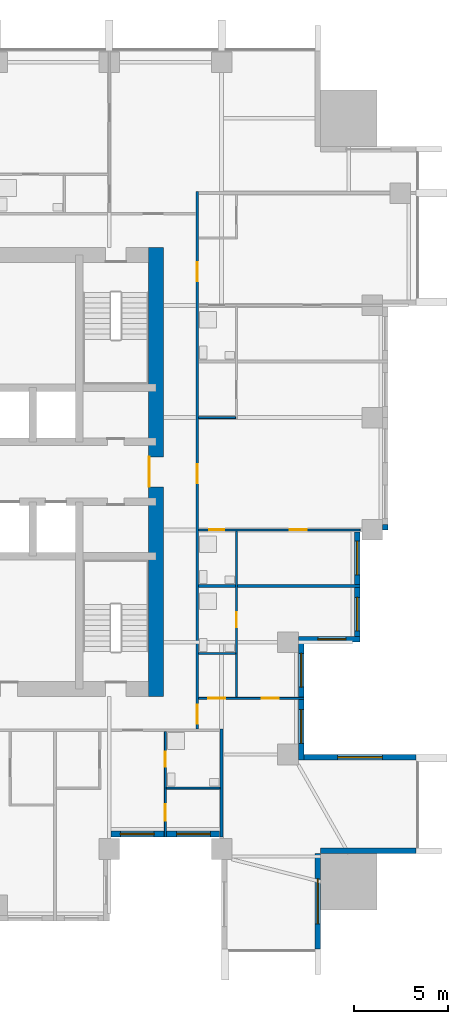
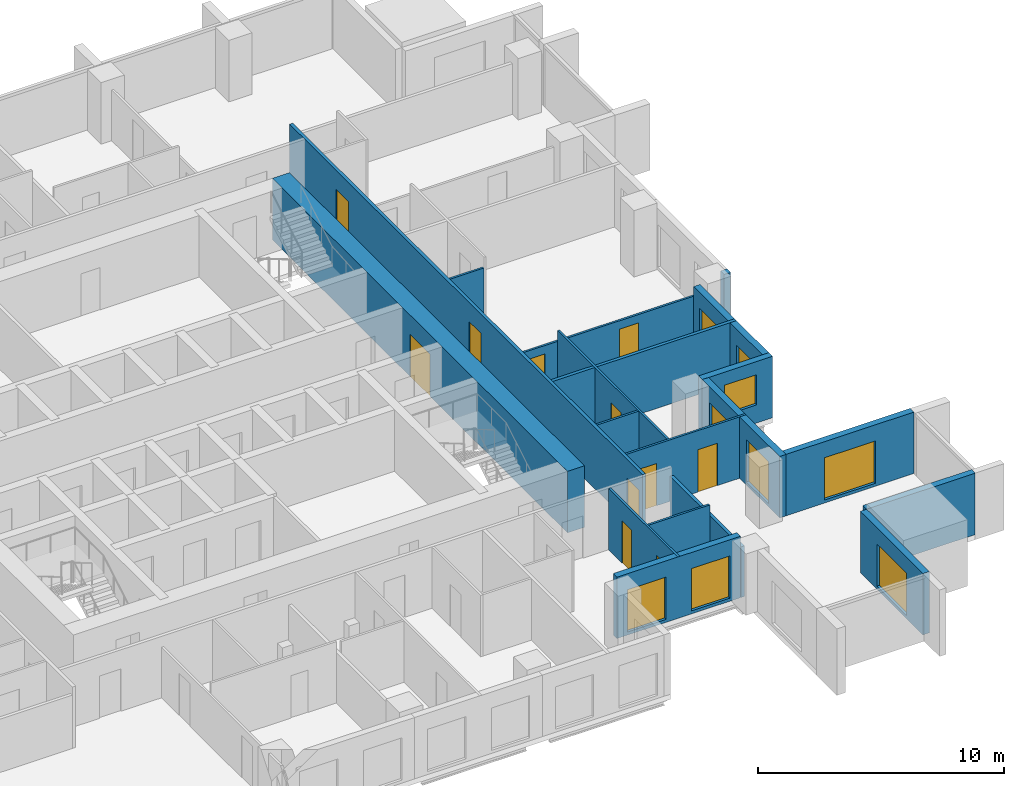
# One storey, part 6 of 10: 19 walls, 11 doors, 9 windows, 20 openings.
"""IFC4 building model written with IfcOpenShell, lengths in metres."""

from ifc_helpers import new_model, si_unit, direction, frame, frame_2d, origin, place, context, subcontext, project, spatial, rectangle, extrude, material, layer, layer_set, type_object, element, fill, save


model = new_model("IFC4")

# Units and contexts
model_context = context("Model", 3, precision=1e-05, world=origin(), true_north=direction((0.0, 1.0)))
body_context = subcontext(model_context, "Body", "Model", "MODEL_VIEW")
ifc_project = project(units=[si_unit("LENGTHUNIT", "METRE"), si_unit("AREAUNIT", "SQUARE_METRE"), si_unit("VOLUMEUNIT", "CUBIC_METRE"), si_unit("PLANEANGLEUNIT", "RADIAN"), si_unit("MASSUNIT", "GRAM", prefix="KILO")], contexts=[model_context])

# Site, building, storey
site_placement = place(None, origin())
site = spatial("IfcSite", under=ifc_project, at=site_placement, CompositionType="ELEMENT")
building_placement = place(site_placement, origin())
building = spatial("IfcBuilding", under=site, at=building_placement, Name="Amberfall Residences", CompositionType="ELEMENT")
storey_placement = place(building_placement, frame((0.0, 0.0, 105.10009765625)))
storey = spatial("IfcBuildingStorey", under=building, at=storey_placement, Name="L28", CompositionType="ELEMENT", Elevation=105.10009765625)

# Wall, opening, window
ifc_material_1 = material(Name="Pale stone cladding on insulated backing", Category="masonry")
ifc_layer_1 = layer(ifc_material_1, 0.300048828125)
ifc_layer_set_1 = layer_set([ifc_layer_1], Name="Bronze clad wall 300")
wall_type_1 = type_object("IfcWallType", Name="Bronze clad wall 300", PredefinedType="SOLIDWALL", material=ifc_layer_set_1)
wall_1_placement = place(storey_placement, frame((94.75, 20.0, 0.0), z_axis=(0.0, 0.0, 1.0), x_axis=(0.0, 1.0, 0.0)))
wall_1 = element("IfcWall", 1, at=wall_1_placement, inside=storey, type_object=wall_type_1, Name="External wall L28 SE", PredefinedType="SOLIDWALL", context=body_context, shape_type="SweptSolid", body=[
    extrude(rectangle(XDim=5.10009765625, YDim=0.300048828125, at=frame_2d((2.550048828125, 0.0))), origin(), (0.0, 0.0, 1.0), 3.0498046875),
])
opening_1_placement = place(wall_1_placement, frame((1.35009765625, 0.0, 0.14990234375)))
opening_1 = element("IfcOpeningElement", 2, at=opening_1_placement, cuts=wall_1, Name="Opening WN5", PredefinedType="OPENING", context=body_context, shape_type="SweptSolid", body=[
    extrude(rectangle(XDim=2.39990234375, YDim=2.10009765625, at=frame_2d((1.199951171875, 1.050048828125))), frame((0.0, 0.159912109375, 0.0), z_axis=(0.0, -1.0, 0.0), x_axis=(1.0, 0.0, 0.0)), (0.0, 0.0, 1.0), 0.320068359375),
])
ifc_material_2 = material(Name="Bronze aluminium framed glazing", Category="aluminium")
window_type_1 = type_object("IfcWindowType", Name="Glazed opening 2400 x 2100 bronze", PartitioningType="DOUBLE_PANEL_VERTICAL", PredefinedType="WINDOW", material=ifc_material_2)
window_1_placement = place(opening_1_placement, origin())
window_1 = element("IfcWindow", 3, at=window_1_placement, inside=storey, type_object=window_type_1, Name="Window L28 SE", OverallHeight=2.10009765625, OverallWidth=2.39990234375, PartitioningType="DOUBLE_PANEL_VERTICAL", PredefinedType="WINDOW", context=body_context, shape_type="SweptSolid", body=[
    extrude(rectangle(XDim=2.39990234375, YDim=2.10009765625, at=frame_2d((1.199951171875, 1.050048828125))), frame((0.0, 0.030029296875, 0.0), z_axis=(0.0, -1.0, 0.0), x_axis=(1.0, 0.0, 0.0)), (0.0, 0.0, 1.0), 0.06005859375),
])
fill(opening_1, window_1)

# Wall
wall_2_placement = place(storey_placement, frame((94.89990234375, 25.25, 0.0), z_axis=(0.0, 0.0, 1.0), x_axis=(1.0, 0.0, 0.0)))
element("IfcWall", 4, at=wall_2_placement, inside=storey, type_object=wall_type_1, Name="External wall L28 SE", PredefinedType="SOLIDWALL", context=body_context, shape_type="SweptSolid", body=[
    extrude(rectangle(XDim=5.10009765625, YDim=0.300048828125, at=frame_2d((2.550048828125, 0.0))), origin(), (0.0, 0.0, 1.0), 3.0498046875),
])

# Wall, opening, window
wall_3_placement = place(storey_placement, frame((100.0, 30.25, 0.0), z_axis=(0.0, 0.0, 1.0), x_axis=(-1.0, 0.0, 0.0)))
wall_3 = element("IfcWall", 5, at=wall_3_placement, inside=storey, type_object=wall_type_1, Name="External wall L28 E", PredefinedType="SOLIDWALL", context=body_context, shape_type="SweptSolid", body=[
    extrude(rectangle(XDim=6.0, YDim=0.300048828125, at=frame_2d((3.0, 0.0))), origin(), (0.0, 0.0, 1.0), 3.0498046875),
])
opening_2_placement = place(wall_3_placement, frame((1.800048828125, 0.0, 0.14990234375)))
opening_2 = element("IfcOpeningElement", 6, at=opening_2_placement, cuts=wall_3, Name="Opening WN5", PredefinedType="OPENING", context=body_context, shape_type="SweptSolid", body=[
    extrude(rectangle(XDim=2.39990234375, YDim=2.10009765625, at=frame_2d((1.199951171875, 1.050048828125))), frame((0.0, 0.159912109375, 0.0), z_axis=(0.0, -1.0, 0.0), x_axis=(1.0, 0.0, 0.0)), (0.0, 0.0, 1.0), 0.320068359375),
])
window_2_placement = place(opening_2_placement, origin())
window_2 = element("IfcWindow", 7, at=window_2_placement, inside=storey, type_object=window_type_1, Name="Window L28 E", OverallHeight=2.10009765625, OverallWidth=2.39990234375, PartitioningType="DOUBLE_PANEL_VERTICAL", PredefinedType="WINDOW", context=body_context, shape_type="SweptSolid", body=[
    extrude(rectangle(XDim=2.39990234375, YDim=2.10009765625, at=frame_2d((1.199951171875, 1.050048828125))), frame((0.0, 0.030029296875, 0.0), z_axis=(0.0, -1.0, 0.0), x_axis=(1.0, 0.0, 0.0)), (0.0, 0.0, 1.0), 0.06005859375),
])
fill(opening_2, window_2)

wall_4_placement = place(storey_placement, frame((93.699951171875, 36.550048828125, 0.0), z_axis=(0.0, 0.0, 1.0), x_axis=(1.0, 0.0, 0.0)))
wall_4 = element("IfcWall", 8, at=wall_4_placement, inside=storey, type_object=wall_type_1, Name="External wall L28 E", PredefinedType="SOLIDWALL", context=body_context, shape_type="SweptSolid", body=[
    extrude(rectangle(XDim=3.300048828125, YDim=0.300048828125, at=frame_2d((1.64990234375, 0.0))), origin(), (0.0, 0.0, 1.0), 3.0498046875),
])
opening_3_placement = place(wall_4_placement, frame((1.050048828125, 0.0, 0.89990234375)))
opening_3 = element("IfcOpeningElement", 9, at=opening_3_placement, cuts=wall_4, Name="Opening WN1", PredefinedType="OPENING", context=body_context, shape_type="SweptSolid", body=[
    extrude(rectangle(XDim=1.5, YDim=1.5, at=frame_2d((0.75, 0.75))), frame((0.0, 0.159912109375, 0.0), z_axis=(0.0, -1.0, 0.0), x_axis=(1.0, 0.0, 0.0)), (0.0, 0.0, 1.0), 0.320068359375),
])
window_type_2 = type_object("IfcWindowType", Name="Window 1500 x 1500 bronze", PartitioningType="DOUBLE_PANEL_VERTICAL", PredefinedType="WINDOW", material=ifc_material_2)
window_3_placement = place(opening_3_placement, origin())
window_3 = element("IfcWindow", 10, at=window_3_placement, inside=storey, type_object=window_type_2, Name="Window L28 E", OverallHeight=1.5, OverallWidth=1.5, PartitioningType="DOUBLE_PANEL_VERTICAL", PredefinedType="WINDOW", context=body_context, shape_type="SweptSolid", body=[
    extrude(rectangle(XDim=1.5, YDim=1.5, at=frame_2d((0.75, 0.75))), frame((0.0, 0.030029296875, 0.0), z_axis=(0.0, -1.0, 0.0), x_axis=(1.0, 0.0, 0.0)), (0.0, 0.0, 1.0), 0.06005859375),
])
fill(opening_3, window_3)

# Wall
wall_5_placement = place(storey_placement, frame((98.199951171875, 42.550048828125, 0.0), z_axis=(0.0, 0.0, 1.0), x_axis=(1.0, 0.0, 0.0)))
element("IfcWall", 11, at=wall_5_placement, inside=storey, type_object=wall_type_1, Name="External wall L28 E", PredefinedType="SOLIDWALL", context=body_context, shape_type="SweptSolid", body=[
    extrude(rectangle(XDim=0.300048828125, YDim=0.300048828125, at=frame_2d((0.14990234375, 0.0))), origin(), (0.0, 0.0, 1.0), 3.0498046875),
])

# Wall, openings, windows
wall_6_placement = place(storey_placement, frame((83.699951171875, 26.14990234375, 0.0), z_axis=(0.0, 0.0, 1.0), x_axis=(1.0, 0.0, 0.0)))
wall_6 = element("IfcWall", 12, at=wall_6_placement, inside=storey, type_object=wall_type_1, Name="Stone wall L28 S", PredefinedType="SOLIDWALL", context=body_context, shape_type="SweptSolid", body=[
    extrude(rectangle(XDim=5.7900390625, YDim=0.300048828125, at=frame_2d((2.89501953125, 0.0))), origin(), (0.0, 0.0, 1.0), 3.0498046875),
])
opening_4_placement = place(wall_6_placement, frame((0.5, 0.0, 0.14990234375)))
opening_4 = element("IfcOpeningElement", 13, at=opening_4_placement, cuts=wall_6, Name="Opening WN6", PredefinedType="OPENING", context=body_context, shape_type="SweptSolid", body=[
    extrude(rectangle(XDim=1.800048828125, YDim=2.10009765625, at=frame_2d((0.89990234375, 1.050048828125))), frame((0.0, 0.159912109375, 0.0), z_axis=(0.0, -1.0, 0.0), x_axis=(1.0, 0.0, 0.0)), (0.0, 0.0, 1.0), 0.320068359375),
])
opening_5_placement = place(wall_6_placement, frame((3.5, 0.0, 0.14990234375)))
opening_5 = element("IfcOpeningElement", 14, at=opening_5_placement, cuts=wall_6, Name="Opening WN6", PredefinedType="OPENING", context=body_context, shape_type="SweptSolid", body=[
    extrude(rectangle(XDim=1.800048828125, YDim=2.10009765625, at=frame_2d((0.89990234375, 1.050048828125))), frame((0.0, 0.159912109375, 0.0), z_axis=(0.0, -1.0, 0.0), x_axis=(1.0, 0.0, 0.0)), (0.0, 0.0, 1.0), 0.320068359375),
])
window_type_3 = type_object("IfcWindowType", Name="Glazed opening 1800 x 2100 bronze", PartitioningType="DOUBLE_PANEL_VERTICAL", PredefinedType="WINDOW", material=ifc_material_2)
window_4_placement = place(opening_4_placement, origin())
window_4 = element("IfcWindow", 15, at=window_4_placement, inside=storey, type_object=window_type_3, Name="Window L28 S", OverallHeight=2.10009765625, OverallWidth=1.800048828125, PartitioningType="DOUBLE_PANEL_VERTICAL", PredefinedType="WINDOW", context=body_context, shape_type="SweptSolid", body=[
    extrude(rectangle(XDim=1.800048828125, YDim=2.10009765625, at=frame_2d((0.89990234375, 1.050048828125))), frame((0.0, 0.030029296875, 0.0), z_axis=(0.0, -1.0, 0.0), x_axis=(1.0, 0.0, 0.0)), (0.0, 0.0, 1.0), 0.06005859375),
])
fill(opening_4, window_4)
window_5_placement = place(opening_5_placement, origin())
window_5 = element("IfcWindow", 16, at=window_5_placement, inside=storey, type_object=window_type_3, Name="Window L28 S", OverallHeight=2.10009765625, OverallWidth=1.800048828125, PartitioningType="DOUBLE_PANEL_VERTICAL", PredefinedType="WINDOW", context=body_context, shape_type="SweptSolid", body=[
    extrude(rectangle(XDim=1.800048828125, YDim=2.10009765625, at=frame_2d((0.89990234375, 1.050048828125))), frame((0.0, 0.030029296875, 0.0), z_axis=(0.0, -1.0, 0.0), x_axis=(1.0, 0.0, 0.0)), (0.0, 0.0, 1.0), 0.06005859375),
])
fill(opening_5, window_5)

wall_7_placement = place(storey_placement, frame((93.85009765625, 30.10009765625, 0.0), z_axis=(0.0, 0.0, 1.0), x_axis=(0.0, 1.0, 0.0)))
wall_7 = element("IfcWall", 17, at=wall_7_placement, inside=storey, type_object=wall_type_1, Name="Stone wall L28 E", PredefinedType="SOLIDWALL", context=body_context, shape_type="SweptSolid", body=[
    extrude(rectangle(XDim=6.2998046875, YDim=0.300048828125, at=frame_2d((3.14990234375, 0.0))), origin(), (0.0, 0.0, 1.0), 3.0498046875),
])
opening_6_placement = place(wall_7_placement, frame((0.89990234375, 0.0, 0.14990234375)))
opening_6 = element("IfcOpeningElement", 18, at=opening_6_placement, cuts=wall_7, Name="Opening WN6", PredefinedType="OPENING", context=body_context, shape_type="SweptSolid", body=[
    extrude(rectangle(XDim=1.800048828125, YDim=2.10009765625, at=frame_2d((0.89990234375, 1.050048828125))), frame((0.0, 0.159912109375, 0.0), z_axis=(0.0, -1.0, 0.0), x_axis=(1.0, 0.0, 0.0)), (0.0, 0.0, 1.0), 0.320068359375),
])
opening_7_placement = place(wall_7_placement, frame((3.89990234375, 0.0, 0.14990234375)))
opening_7 = element("IfcOpeningElement", 19, at=opening_7_placement, cuts=wall_7, Name="Opening WN6", PredefinedType="OPENING", context=body_context, shape_type="SweptSolid", body=[
    extrude(rectangle(XDim=1.800048828125, YDim=2.10009765625, at=frame_2d((0.89990234375, 1.050048828125))), frame((0.0, 0.159912109375, 0.0), z_axis=(0.0, -1.0, 0.0), x_axis=(1.0, 0.0, 0.0)), (0.0, 0.0, 1.0), 0.320068359375),
])
window_6_placement = place(opening_6_placement, origin())
window_6 = element("IfcWindow", 20, at=window_6_placement, inside=storey, type_object=window_type_3, Name="Window L28 E", OverallHeight=2.10009765625, OverallWidth=1.800048828125, PartitioningType="DOUBLE_PANEL_VERTICAL", PredefinedType="WINDOW", context=body_context, shape_type="SweptSolid", body=[
    extrude(rectangle(XDim=1.800048828125, YDim=2.10009765625, at=frame_2d((0.89990234375, 1.050048828125))), frame((0.0, 0.030029296875, 0.0), z_axis=(0.0, -1.0, 0.0), x_axis=(1.0, 0.0, 0.0)), (0.0, 0.0, 1.0), 0.06005859375),
])
fill(opening_6, window_6)
window_7_placement = place(opening_7_placement, origin())
window_7 = element("IfcWindow", 21, at=window_7_placement, inside=storey, type_object=window_type_3, Name="Window L28 E", OverallHeight=2.10009765625, OverallWidth=1.800048828125, PartitioningType="DOUBLE_PANEL_VERTICAL", PredefinedType="WINDOW", context=body_context, shape_type="SweptSolid", body=[
    extrude(rectangle(XDim=1.800048828125, YDim=2.10009765625, at=frame_2d((0.89990234375, 1.050048828125))), frame((0.0, 0.030029296875, 0.0), z_axis=(0.0, -1.0, 0.0), x_axis=(1.0, 0.0, 0.0)), (0.0, 0.0, 1.0), 0.06005859375),
])
fill(opening_7, window_7)

wall_8_placement = place(storey_placement, frame((96.85009765625, 36.699951171875, 0.0), z_axis=(0.0, 0.0, 1.0), x_axis=(0.0, 1.0, 0.0)))
wall_8 = element("IfcWall", 22, at=wall_8_placement, inside=storey, type_object=wall_type_1, Name="Stone wall L28 E", PredefinedType="SOLIDWALL", context=body_context, shape_type="SweptSolid", body=[
    extrude(rectangle(XDim=5.590087890625, YDim=0.300048828125, at=frame_2d((2.794921875, 0.0))), origin(), (0.0, 0.0, 1.0), 3.0498046875),
])
opening_8_placement = place(wall_8_placement, frame((0.300048828125, 0.0, 0.14990234375)))
opening_8 = element("IfcOpeningElement", 23, at=opening_8_placement, cuts=wall_8, Name="Opening WN6", PredefinedType="OPENING", context=body_context, shape_type="SweptSolid", body=[
    extrude(rectangle(XDim=1.800048828125, YDim=2.10009765625, at=frame_2d((0.89990234375, 1.050048828125))), frame((0.0, 0.159912109375, 0.0), z_axis=(0.0, -1.0, 0.0), x_axis=(1.0, 0.0, 0.0)), (0.0, 0.0, 1.0), 0.320068359375),
])
opening_9_placement = place(wall_8_placement, frame((3.300048828125, 0.0, 0.14990234375)))
opening_9 = element("IfcOpeningElement", 24, at=opening_9_placement, cuts=wall_8, Name="Opening WN6", PredefinedType="OPENING", context=body_context, shape_type="SweptSolid", body=[
    extrude(rectangle(XDim=1.800048828125, YDim=2.10009765625, at=frame_2d((0.89990234375, 1.050048828125))), frame((0.0, 0.159912109375, 0.0), z_axis=(0.0, -1.0, 0.0), x_axis=(1.0, 0.0, 0.0)), (0.0, 0.0, 1.0), 0.320068359375),
])
window_8_placement = place(opening_8_placement, origin())
window_8 = element("IfcWindow", 25, at=window_8_placement, inside=storey, type_object=window_type_3, Name="Window L28 E", OverallHeight=2.10009765625, OverallWidth=1.800048828125, PartitioningType="DOUBLE_PANEL_VERTICAL", PredefinedType="WINDOW", context=body_context, shape_type="SweptSolid", body=[
    extrude(rectangle(XDim=1.800048828125, YDim=2.10009765625, at=frame_2d((0.89990234375, 1.050048828125))), frame((0.0, 0.030029296875, 0.0), z_axis=(0.0, -1.0, 0.0), x_axis=(1.0, 0.0, 0.0)), (0.0, 0.0, 1.0), 0.06005859375),
])
fill(opening_8, window_8)
window_9_placement = place(opening_9_placement, origin())
window_9 = element("IfcWindow", 26, at=window_9_placement, inside=storey, type_object=window_type_3, Name="Window L28 E", OverallHeight=2.10009765625, OverallWidth=1.800048828125, PartitioningType="DOUBLE_PANEL_VERTICAL", PredefinedType="WINDOW", context=body_context, shape_type="SweptSolid", body=[
    extrude(rectangle(XDim=1.800048828125, YDim=2.10009765625, at=frame_2d((0.89990234375, 1.050048828125))), frame((0.0, 0.030029296875, 0.0), z_axis=(0.0, -1.0, 0.0), x_axis=(1.0, 0.0, 0.0)), (0.0, 0.0, 1.0), 0.06005859375),
])
fill(opening_9, window_9)

# Wall, opening, door
ifc_material_3 = material(Name="Concrete C70", Category="concrete")
ifc_layer_2 = layer(ifc_material_3, 0.800048828125)
ifc_layer_set_2 = layer_set([ifc_layer_2], Name="Core wall 800 C70")
wall_type_2 = type_object("IfcWallType", Name="Core wall 800 C70", PredefinedType="SHEAR", material=ifc_layer_set_2)
wall_9_placement = place(storey_placement, frame((86.10009765625, 33.5, 0.0), z_axis=(0.0, 0.0, 1.0), x_axis=(0.0, 1.0, 0.0)))
wall_9 = element("IfcWall", 27, at=wall_9_placement, inside=storey, type_object=wall_type_2, Name="Core wall RW3 L28 OE", PredefinedType="SHEAR", context=body_context, shape_type="SweptSolid", body=[
    extrude(rectangle(XDim=24.0, YDim=0.800048828125, at=frame_2d((12.0, 0.0))), origin(), (0.0, 0.0, 1.0), 3.0498046875),
])
opening_10_placement = place(wall_9_placement, frame((11.199951171875, 0.0, 0.0)))
opening_10 = element("IfcOpeningElement", 28, at=opening_10_placement, cuts=wall_9, Name="Opening LB1", PredefinedType="OPENING", context=body_context, shape_type="SweptSolid", body=[
    extrude(rectangle(XDim=1.60009765625, YDim=2.10009765625, at=frame_2d((0.800048828125, 1.050048828125))), frame((0.0, 0.409912109375, 0.0), z_axis=(0.0, -1.0, 0.0), x_axis=(1.0, 0.0, 0.0)), (0.0, 0.0, 1.0), 0.820068359375),
])
ifc_material_4 = material(Name="Steel fire door set", Category="steel")
door_type_1 = type_object("IfcDoorType", Name="Lift lobby double door 1600 x 2100", OperationType="DOUBLE_DOOR_SINGLE_SWING", PredefinedType="DOOR", material=ifc_material_4)
door_1_placement = place(opening_10_placement, origin())
door_1 = element("IfcDoor", 29, at=door_1_placement, inside=storey, type_object=door_type_1, Name="LB1 L28", OperationType="DOUBLE_DOOR_SINGLE_SWING", OverallHeight=2.10009765625, OverallWidth=1.60009765625, PredefinedType="DOOR", context=body_context, shape_type="SweptSolid", body=[
    extrude(rectangle(XDim=1.60009765625, YDim=2.10009765625, at=frame_2d((0.800048828125, 1.050048828125))), frame((0.0, 0.3876953125, 0.0), z_axis=(0.0, -1.0, 0.0), x_axis=(1.0, 0.0, 0.0)), (0.0, 0.0, 1.0), 0.050048828125),
])
fill(opening_10, door_1)

# Wall, openings, doors
ifc_material_5 = material(Name="Gypsum board on metal stud")
ifc_layer_3 = layer(ifc_material_5, 0.10009765625)
ifc_layer_set_3 = layer_set([ifc_layer_3], Name="Flat partition 100")
wall_type_3 = type_object("IfcWallType", Name="Flat partition 100", PredefinedType="PARTITIONING", material=ifc_layer_set_3)
wall_10_placement = place(storey_placement, frame((86.60009765625, 31.625, 0.0), z_axis=(0.0, 0.0, 1.0), x_axis=(0.0, -1.0, 0.0)))
wall_10 = element("IfcWall", 30, at=wall_10_placement, inside=storey, type_object=wall_type_3, Name="Partition 018", PredefinedType="PARTITIONING", context=body_context, shape_type="SweptSolid", body=[
    extrude(rectangle(XDim=5.625, YDim=0.10009765625, at=frame_2d((2.8125, 0.0))), origin(), (0.0, 0.0, 1.0), 3.0498046875),
])
opening_11_placement = place(wall_10_placement, frame((3.875, 0.0, 0.0)))
opening_11 = element("IfcOpeningElement", 31, at=opening_11_placement, cuts=wall_10, Name="Opening D41", PredefinedType="OPENING", context=body_context, shape_type="SweptSolid", body=[
    extrude(rectangle(XDim=0.89990234375, YDim=2.10009765625, at=frame_2d((0.449951171875, 1.050048828125))), frame((0.0, 0.06005859375, 0.0), z_axis=(0.0, -1.0, 0.0), x_axis=(1.0, 0.0, 0.0)), (0.0, 0.0, 1.0), 0.1201171875),
])
opening_12_placement = place(wall_10_placement, frame((1.074951171875, 0.0, 0.0)))
opening_12 = element("IfcOpeningElement", 32, at=opening_12_placement, cuts=wall_10, Name="Opening D42", PredefinedType="OPENING", context=body_context, shape_type="SweptSolid", body=[
    extrude(rectangle(XDim=0.800048828125, YDim=2.10009765625, at=frame_2d((0.39990234375, 1.050048828125))), frame((0.0, 0.06005859375, 0.0), z_axis=(0.0, -1.0, 0.0), x_axis=(1.0, 0.0, 0.0)), (0.0, 0.0, 1.0), 0.1201171875),
])
ifc_material_6 = material(Name="Timber", Category="wood")
door_type_2 = type_object("IfcDoorType", Name="Bathroom door 800 x 2100", OperationType="SINGLE_SWING_LEFT", PredefinedType="DOOR", material=ifc_material_6)
door_2_placement = place(opening_12_placement, origin())
door_2 = element("IfcDoor", 33, at=door_2_placement, inside=storey, type_object=door_type_2, Name="Door 2803 bath1", OperationType="SINGLE_SWING_LEFT", OverallHeight=2.10009765625, OverallWidth=0.800048828125, PredefinedType="DOOR", context=body_context, shape_type="SweptSolid", body=[
    extrude(rectangle(XDim=0.800048828125, YDim=2.10009765625, at=frame_2d((0.39990234375, 1.050048828125))), frame((0.0, 0.02490234375, 0.0), z_axis=(0.0, -1.0, 0.0), x_axis=(1.0, 0.0, 0.0)), (0.0, 0.0, 1.0), 0.050048828125),
])
fill(opening_12, door_2)
door_type_3 = type_object("IfcDoorType", Name="Internal door 900 x 2100", OperationType="SINGLE_SWING_LEFT", PredefinedType="DOOR", material=ifc_material_6)
door_3_placement = place(opening_11_placement, origin())
door_3 = element("IfcDoor", 34, at=door_3_placement, inside=storey, type_object=door_type_3, Name="Door 2803 bedroom1", OperationType="SINGLE_SWING_LEFT", OverallHeight=2.10009765625, OverallWidth=0.89990234375, PredefinedType="DOOR", context=body_context, shape_type="SweptSolid", body=[
    extrude(rectangle(XDim=0.89990234375, YDim=2.10009765625, at=frame_2d((0.449951171875, 1.050048828125))), frame((0.0, 0.02490234375, 0.0), z_axis=(0.0, -1.0, 0.0), x_axis=(1.0, 0.0, 0.0)), (0.0, 0.0, 1.0), 0.050048828125),
])
fill(opening_11, door_3)

# Wall, opening, door
wall_11_placement = place(storey_placement, frame((90.39990234375, 33.449951171875, 0.0), z_axis=(0.0, 0.0, 1.0), x_axis=(0.0, 1.0, 0.0)))
wall_11 = element("IfcWall", 35, at=wall_11_placement, inside=storey, type_object=wall_type_3, Name="Partition 019", PredefinedType="PARTITIONING", context=body_context, shape_type="SweptSolid", body=[
    extrude(rectangle(XDim=8.900146484375, YDim=0.10009765625, at=frame_2d((4.4501953125, 0.0))), origin(), (0.0, 0.0, 1.0), 3.0498046875),
])
opening_13_placement = place(wall_11_placement, frame((3.75, 0.0, 0.0)))
opening_13 = element("IfcOpeningElement", 36, at=opening_13_placement, cuts=wall_11, Name="Opening D42", PredefinedType="OPENING", context=body_context, shape_type="SweptSolid", body=[
    extrude(rectangle(XDim=0.800048828125, YDim=2.10009765625, at=frame_2d((0.39990234375, 1.050048828125))), frame((0.0, 0.06005859375, 0.0), z_axis=(0.0, -1.0, 0.0), x_axis=(1.0, 0.0, 0.0)), (0.0, 0.0, 1.0), 0.1201171875),
])
door_4_placement = place(opening_13_placement, origin())
door_4 = element("IfcDoor", 37, at=door_4_placement, inside=storey, type_object=door_type_2, Name="Door 2804 bath1", OperationType="SINGLE_SWING_LEFT", OverallHeight=2.10009765625, OverallWidth=0.800048828125, PredefinedType="DOOR", context=body_context, shape_type="SweptSolid", body=[
    extrude(rectangle(XDim=0.800048828125, YDim=2.10009765625, at=frame_2d((0.39990234375, 1.050048828125))), frame((0.0, 0.02490234375, 0.0), z_axis=(0.0, -1.0, 0.0), x_axis=(1.0, 0.0, 0.0)), (0.0, 0.0, 1.0), 0.050048828125),
])
fill(opening_13, door_4)

# Wall
wall_12_placement = place(storey_placement, frame((88.375, 48.39990234375, 0.0), z_axis=(0.0, 0.0, 1.0), x_axis=(1.0, 0.0, 0.0)))
element("IfcWall", 38, at=wall_12_placement, inside=storey, type_object=wall_type_3, Name="Partition 031", PredefinedType="PARTITIONING", context=body_context, shape_type="SweptSolid", body=[
    extrude(rectangle(XDim=1.97509765625, YDim=0.10009765625, at=frame_2d((0.987548828125, 0.0))), origin(), (0.0, 0.0, 1.0), 2.515869140625),
])

# Wall, openings, doors
wall_13_placement = place(storey_placement, frame((97.0, 42.39990234375, 0.0), z_axis=(0.0, 0.0, 1.0), x_axis=(-1.0, 0.0, 0.0)))
wall_13 = element("IfcWall", 39, at=wall_13_placement, inside=storey, type_object=wall_type_3, Name="Partition 034", PredefinedType="PARTITIONING", context=body_context, shape_type="SweptSolid", body=[
    extrude(rectangle(XDim=8.625, YDim=0.10009765625, at=frame_2d((4.3125, 0.0))), origin(), (0.0, 0.0, 1.0), 2.515869140625),
])
opening_14_placement = place(wall_13_placement, frame((2.85009765625, 0.0, 0.0)))
opening_14 = element("IfcOpeningElement", 40, at=opening_14_placement, cuts=wall_13, Name="Opening D41", PredefinedType="OPENING", context=body_context, shape_type="SweptSolid", body=[
    extrude(rectangle(XDim=0.89990234375, YDim=2.10009765625, at=frame_2d((0.449951171875, 1.050048828125))), frame((0.0, 0.06005859375, 0.0), z_axis=(0.0, -1.0, 0.0), x_axis=(1.0, 0.0, 0.0)), (0.0, 0.0, 1.0), 0.1201171875),
])
opening_15_placement = place(wall_13_placement, frame((7.25, 0.0, 0.0)))
opening_15 = element("IfcOpeningElement", 41, at=opening_15_placement, cuts=wall_13, Name="Opening D42", PredefinedType="OPENING", context=body_context, shape_type="SweptSolid", body=[
    extrude(rectangle(XDim=0.800048828125, YDim=2.10009765625, at=frame_2d((0.39990234375, 1.050048828125))), frame((0.0, 0.06005859375, 0.0), z_axis=(0.0, -1.0, 0.0), x_axis=(1.0, 0.0, 0.0)), (0.0, 0.0, 1.0), 0.1201171875),
])
door_5_placement = place(opening_15_placement, origin())
door_5 = element("IfcDoor", 42, at=door_5_placement, inside=storey, type_object=door_type_2, Name="Door 2805 bath1", OperationType="SINGLE_SWING_LEFT", OverallHeight=2.10009765625, OverallWidth=0.800048828125, PredefinedType="DOOR", context=body_context, shape_type="SweptSolid", body=[
    extrude(rectangle(XDim=0.800048828125, YDim=2.10009765625, at=frame_2d((0.39990234375, 1.050048828125))), frame((0.0, 0.02490234375, 0.0), z_axis=(0.0, -1.0, 0.0), x_axis=(1.0, 0.0, 0.0)), (0.0, 0.0, 1.0), 0.050048828125),
])
fill(opening_15, door_5)
door_6_placement = place(opening_14_placement, origin())
door_6 = element("IfcDoor", 43, at=door_6_placement, inside=storey, type_object=door_type_3, Name="Door 2805 bedroom1", OperationType="SINGLE_SWING_LEFT", OverallHeight=2.10009765625, OverallWidth=0.89990234375, PredefinedType="DOOR", context=body_context, shape_type="SweptSolid", body=[
    extrude(rectangle(XDim=0.89990234375, YDim=2.10009765625, at=frame_2d((0.449951171875, 1.050048828125))), frame((0.0, 0.02490234375, 0.0), z_axis=(0.0, -1.0, 0.0), x_axis=(1.0, 0.0, 0.0)), (0.0, 0.0, 1.0), 0.050048828125),
])
fill(opening_14, door_6)

# Wall
wall_14_placement = place(storey_placement, frame((88.375, 35.800048828125, 0.0), z_axis=(0.0, 0.0, 1.0), x_axis=(1.0, 0.0, 0.0)))
element("IfcWall", 44, at=wall_14_placement, inside=storey, type_object=wall_type_3, Name="Partition 037", PredefinedType="PARTITIONING", context=body_context, shape_type="SweptSolid", body=[
    extrude(rectangle(XDim=1.97509765625, YDim=0.10009765625, at=frame_2d((0.987548828125, 0.0))), origin(), (0.0, 0.0, 1.0), 3.0498046875),
])

# Wall, openings, doors
wall_15_placement = place(storey_placement, frame((88.375, 33.39990234375, 0.0), z_axis=(0.0, 0.0, 1.0), x_axis=(1.0, 0.0, 0.0)))
wall_15 = element("IfcWall", 45, at=wall_15_placement, inside=storey, type_object=wall_type_3, Name="Partition 039", PredefinedType="PARTITIONING", context=body_context, shape_type="SweptSolid", body=[
    extrude(rectangle(XDim=5.625, YDim=0.10009765625, at=frame_2d((2.8125, 0.0))), origin(), (0.0, 0.0, 1.0), 3.0498046875),
])
opening_16_placement = place(wall_15_placement, frame((0.52490234375, 0.0, 0.0)))
opening_16 = element("IfcOpeningElement", 46, at=opening_16_placement, cuts=wall_15, Name="Opening D41", PredefinedType="OPENING", context=body_context, shape_type="SweptSolid", body=[
    extrude(rectangle(XDim=0.89990234375, YDim=2.10009765625, at=frame_2d((0.449951171875, 1.050048828125))), frame((0.0, 0.06005859375, 0.0), z_axis=(0.0, -1.0, 0.0), x_axis=(1.0, 0.0, 0.0)), (0.0, 0.0, 1.0), 0.1201171875),
])
opening_17_placement = place(wall_15_placement, frame((3.375, 0.0, 0.0)))
opening_17 = element("IfcOpeningElement", 47, at=opening_17_placement, cuts=wall_15, Name="Opening D41", PredefinedType="OPENING", context=body_context, shape_type="SweptSolid", body=[
    extrude(rectangle(XDim=0.89990234375, YDim=2.10009765625, at=frame_2d((0.449951171875, 1.050048828125))), frame((0.0, 0.06005859375, 0.0), z_axis=(0.0, -1.0, 0.0), x_axis=(1.0, 0.0, 0.0)), (0.0, 0.0, 1.0), 0.1201171875),
])
door_7_placement = place(opening_16_placement, origin())
door_7 = element("IfcDoor", 48, at=door_7_placement, inside=storey, type_object=door_type_3, Name="Door 2804 kitchen", OperationType="SINGLE_SWING_LEFT", OverallHeight=2.10009765625, OverallWidth=0.89990234375, PredefinedType="DOOR", context=body_context, shape_type="SweptSolid", body=[
    extrude(rectangle(XDim=0.89990234375, YDim=2.10009765625, at=frame_2d((0.449951171875, 1.050048828125))), frame((0.0, 0.02490234375, 0.0), z_axis=(0.0, -1.0, 0.0), x_axis=(1.0, 0.0, 0.0)), (0.0, 0.0, 1.0), 0.050048828125),
])
fill(opening_16, door_7)
door_8_placement = place(opening_17_placement, origin())
door_8 = element("IfcDoor", 49, at=door_8_placement, inside=storey, type_object=door_type_3, Name="Door 2804 bedroom1", OperationType="SINGLE_SWING_LEFT", OverallHeight=2.10009765625, OverallWidth=0.89990234375, PredefinedType="DOOR", context=body_context, shape_type="SweptSolid", body=[
    extrude(rectangle(XDim=0.89990234375, YDim=2.10009765625, at=frame_2d((0.449951171875, 1.050048828125))), frame((0.0, 0.02490234375, 0.0), z_axis=(0.0, -1.0, 0.0), x_axis=(1.0, 0.0, 0.0)), (0.0, 0.0, 1.0), 0.050048828125),
])
fill(opening_17, door_8)

# Wall
wall_16_placement = place(storey_placement, frame((86.64990234375, 28.60009765625, 0.0), z_axis=(0.0, 0.0, 1.0), x_axis=(1.0, 0.0, 0.0)))
element("IfcWall", 50, at=wall_16_placement, inside=storey, type_object=wall_type_3, Name="Partition 042", PredefinedType="PARTITIONING", context=body_context, shape_type="SweptSolid", body=[
    extrude(rectangle(XDim=2.875, YDim=0.10009765625, at=frame_2d((1.4375, 0.0))), origin(), (0.0, 0.0, 1.0), 3.0498046875),
])

# Wall, openings, doors
ifc_material_7 = material(Name="Blockwork, plastered", Category="masonry")
ifc_layer_4 = layer(ifc_material_7, 0.14990234375)
ifc_layer_set_4 = layer_set([ifc_layer_4], Name="Flat separating wall 150")
wall_type_4 = type_object("IfcWallType", Name="Flat separating wall 150", PredefinedType="PARTITIONING", material=ifc_layer_set_4)
wall_17_placement = place(storey_placement, frame((88.300048828125, 60.47509765625, 0.0), z_axis=(0.0, 0.0, 1.0), x_axis=(0.0, -1.0, 0.0)))
wall_17 = element("IfcWall", 51, at=wall_17_placement, inside=storey, type_object=wall_type_4, Name="Separating wall 052", PredefinedType="PARTITIONING", context=body_context, shape_type="SweptSolid", body=[
    extrude(rectangle(XDim=28.7001953125, YDim=0.14990234375, at=frame_2d((14.35009765625, 0.0))), origin(), (0.0, 0.0, 1.0), 3.0498046875),
])
opening_18_placement = place(wall_17_placement, frame((27.425048828125, 0.0, 0.0)))
opening_18 = element("IfcOpeningElement", 52, at=opening_18_placement, cuts=wall_17, Name="Opening D40", PredefinedType="OPENING", context=body_context, shape_type="SweptSolid", body=[
    extrude(rectangle(XDim=1.0, YDim=2.10009765625, at=frame_2d((0.5, 1.050048828125))), frame((0.0, 0.0849609375, 0.0), z_axis=(0.0, -1.0, 0.0), x_axis=(1.0, 0.0, 0.0)), (0.0, 0.0, 1.0), 0.169921875),
])
opening_19_placement = place(wall_17_placement, frame((14.574951171875, 0.0, 0.0)))
opening_19 = element("IfcOpeningElement", 53, at=opening_19_placement, cuts=wall_17, Name="Opening D40", PredefinedType="OPENING", context=body_context, shape_type="SweptSolid", body=[
    extrude(rectangle(XDim=1.0, YDim=2.10009765625, at=frame_2d((0.5, 1.050048828125))), frame((0.0, 0.0849609375, 0.0), z_axis=(0.0, -1.0, 0.0), x_axis=(1.0, 0.0, 0.0)), (0.0, 0.0, 1.0), 0.169921875),
])
opening_20_placement = place(wall_17_placement, frame((3.77490234375, 0.0, 0.0)))
opening_20 = element("IfcOpeningElement", 54, at=opening_20_placement, cuts=wall_17, Name="Opening D40", PredefinedType="OPENING", context=body_context, shape_type="SweptSolid", body=[
    extrude(rectangle(XDim=1.0, YDim=2.10009765625, at=frame_2d((0.5, 1.050048828125))), frame((0.0, 0.0849609375, 0.0), z_axis=(0.0, -1.0, 0.0), x_axis=(1.0, 0.0, 0.0)), (0.0, 0.0, 1.0), 0.169921875),
])
ifc_material_8 = material(Name="Timber, fire-rated", Category="wood")
door_type_4 = type_object("IfcDoorType", Name="Flat entrance door FD60 1000 x 2100", OperationType="SINGLE_SWING_LEFT", PredefinedType="DOOR", material=ifc_material_8)
door_9_placement = place(opening_18_placement, origin())
door_9 = element("IfcDoor", 55, at=door_9_placement, inside=storey, type_object=door_type_4, Name="Door 2804 entrance", OperationType="SINGLE_SWING_LEFT", OverallHeight=2.10009765625, OverallWidth=1.0, PredefinedType="DOOR", context=body_context, shape_type="SweptSolid", body=[
    extrude(rectangle(XDim=1.0, YDim=2.10009765625, at=frame_2d((0.5, 1.050048828125))), frame((0.0, 0.02490234375, 0.0), z_axis=(0.0, -1.0, 0.0), x_axis=(1.0, 0.0, 0.0)), (0.0, 0.0, 1.0), 0.050048828125),
])
fill(opening_18, door_9)
door_10_placement = place(opening_19_placement, origin())
door_10 = element("IfcDoor", 56, at=door_10_placement, inside=storey, type_object=door_type_4, Name="Door 2805 entrance", OperationType="SINGLE_SWING_LEFT", OverallHeight=2.10009765625, OverallWidth=1.0, PredefinedType="DOOR", context=body_context, shape_type="SweptSolid", body=[
    extrude(rectangle(XDim=1.0, YDim=2.10009765625, at=frame_2d((0.5, 1.050048828125))), frame((0.0, 0.02490234375, 0.0), z_axis=(0.0, -1.0, 0.0), x_axis=(1.0, 0.0, 0.0)), (0.0, 0.0, 1.0), 0.050048828125),
])
fill(opening_19, door_10)
door_11_placement = place(opening_20_placement, origin())
door_11 = element("IfcDoor", 57, at=door_11_placement, inside=storey, type_object=door_type_4, Name="Door 2806 entrance", OperationType="SINGLE_SWING_LEFT", OverallHeight=2.10009765625, OverallWidth=1.0, PredefinedType="DOOR", context=body_context, shape_type="SweptSolid", body=[
    extrude(rectangle(XDim=1.0, YDim=2.10009765625, at=frame_2d((0.5, 1.050048828125))), frame((0.0, 0.02490234375, 0.0), z_axis=(0.0, -1.0, 0.0), x_axis=(1.0, 0.0, 0.0)), (0.0, 0.0, 1.0), 0.050048828125),
])
fill(opening_20, door_11)

# Walls
wall_18_placement = place(storey_placement, frame((89.60009765625, 26.0, 0.0), z_axis=(0.0, 0.0, 1.0), x_axis=(0.0, 1.0, 0.0)))
element("IfcWall", 58, at=wall_18_placement, inside=storey, type_object=wall_type_4, Name="Separating wall 053", PredefinedType="PARTITIONING", context=body_context, shape_type="SweptSolid", body=[
    extrude(rectangle(XDim=5.77490234375, YDim=0.14990234375, at=frame_2d((2.887451171875, 0.0))), origin(), (0.0, 0.0, 1.0), 2.515869140625),
])
wall_19_placement = place(storey_placement, frame((88.375, 39.39990234375, 0.0), z_axis=(0.0, 0.0, 1.0), x_axis=(1.0, 0.0, 0.0)))
element("IfcWall", 59, at=wall_19_placement, inside=storey, type_object=wall_type_4, Name="Separating wall 059", PredefinedType="PARTITIONING", context=body_context, shape_type="SweptSolid", body=[
    extrude(rectangle(XDim=8.625, YDim=0.14990234375, at=frame_2d((4.3125, 0.0))), origin(), (0.0, 0.0, 1.0), 3.0498046875),
])

save(model, "model.ifc")
